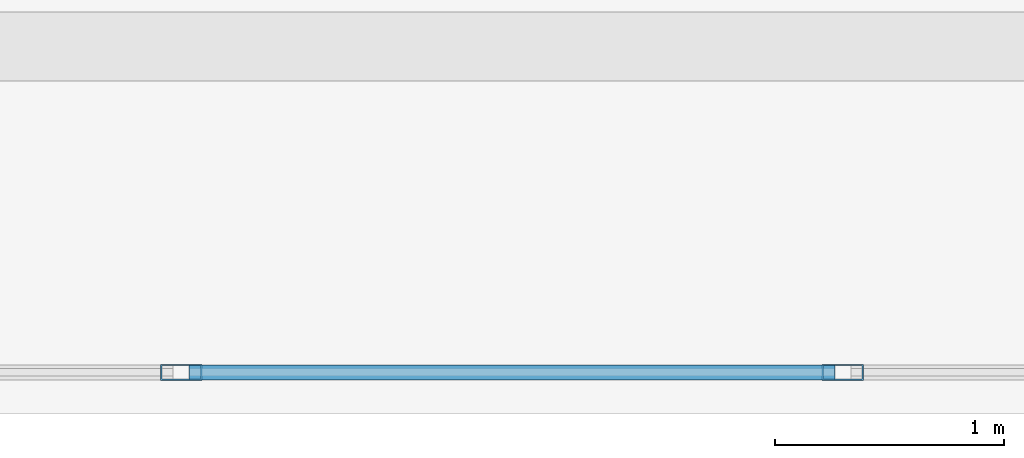
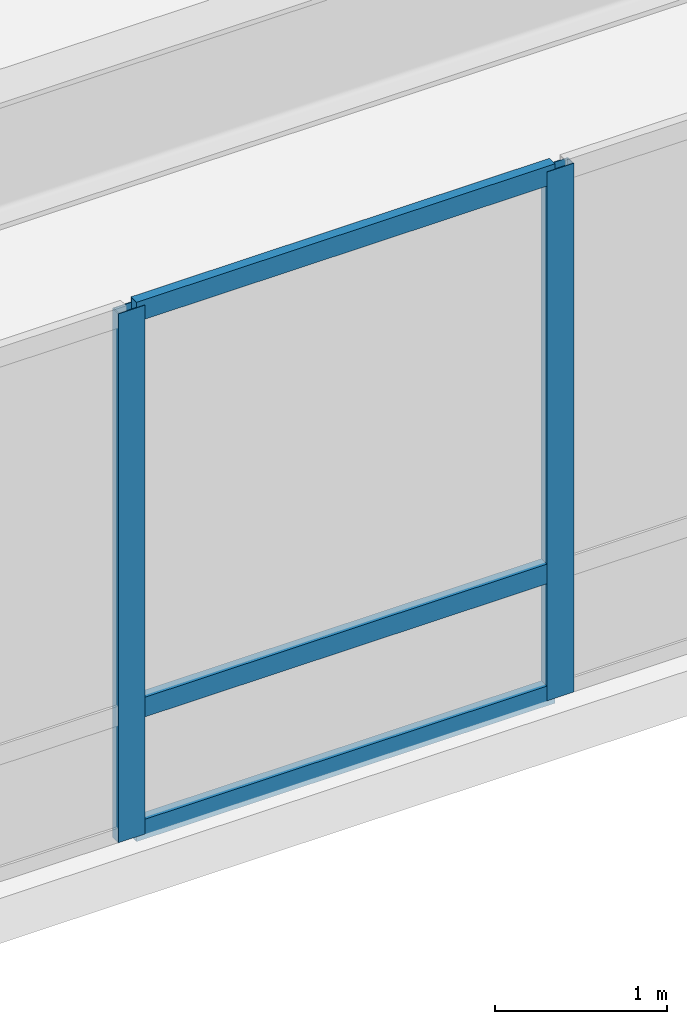
# One storey, part 6 of 17: 5 members, 1 element without a shape of its own.
"""IFC4 building model written with IfcOpenShell, lengths in metres."""

from ifc_helpers import new_model, si_unit, direction, frame, origin, origin_2d, place, context, subcontext, project, spatial, hollow_rectangle, extrude, material, layer, layer_set, material_profile, profile_set, type_object, element, aggregate, save


model = new_model("IFC4")

# Units and contexts
model_context = context("Model", 3, precision=1e-05, world=origin(), true_north=direction((0.0, 1.0)))
body_context = subcontext(model_context, "Body", "Model", "MODEL_VIEW")
ifc_project = project(units=[si_unit("LENGTHUNIT", "METRE"), si_unit("AREAUNIT", "SQUARE_METRE"), si_unit("VOLUMEUNIT", "CUBIC_METRE"), si_unit("PLANEANGLEUNIT", "RADIAN"), si_unit("MASSUNIT", "GRAM", prefix="KILO"), si_unit("THERMODYNAMICTEMPERATUREUNIT", "KELVIN"), si_unit("POWERUNIT", "WATT")], contexts=[model_context])

# Site, building, storey
site_placement = place(None, origin())
site = spatial("IfcSite", under=ifc_project, at=site_placement, CompositionType="ELEMENT")
building_placement = place(site_placement, origin())
building = spatial("IfcBuilding", under=site, at=building_placement, Name="Ocrelia Relay Tower", CompositionType="ELEMENT")
storey_placement = place(building_placement, frame((0.0, 0.0, 20.39990234375)))
storey = spatial("IfcBuildingStorey", under=building, at=storey_placement, Name="L04", CompositionType="ELEMENT", Elevation=20.39990234375)

# Curtain wall, members
ifc_material_1 = material(Name="Aluminium and solar-control low-E glass", Category="aluminium")
ifc_layer = layer(ifc_material_1, 0.179931640625, Name="Aluminium and solar-control low-E glass")
ifc_layer_set = layer_set([ifc_layer], Name="Aluminium and solar-control low-E glass")
curtain_wall_type = type_object("IfcCurtainWallType", Name="CW-SYS-POD-GALL", PredefinedType="NOTDEFINED", material=ifc_layer_set)
curtain_wall_placement = place(storey_placement, origin())
curtain_wall = element("IfcCurtainWall", 1, at=curtain_wall_placement, inside=storey, type_object=curtain_wall_type, Name="L04 South Over-Arch Curtain Wall East", PredefinedType="NOTDEFINED")
ifc_material_2 = material(Name="Anodised bronze aluminium", Category="aluminium")
ifc_material_profile_1 = material_profile(ifc_material_2, hollow_rectangle(XDim=0.070068359375, YDim=0.179931640625, WallThickness=0.006103515625, at=origin_2d()), Name="CW-MUL-180x70")
ifc_profile_set_1 = profile_set([ifc_material_profile_1], Name="Anodised bronze aluminium")
member_type_1 = type_object("IfcMemberType", Name="CW-SYS-POD-GALL-MUL", PredefinedType="MULLION", material=ifc_profile_set_1)
member_1_placement = place(storey_placement, frame((36.88330078125, 0.179931640625, 0.0), z_axis=(0.0, 0.0, 1.0), x_axis=(0.0, 1.0, 0.0)))
member_1 = element("IfcMember", 2, at=member_1_placement, type_object=member_type_1, Name="CW-PG mullion 2", PredefinedType="MULLION", context=body_context, shape_type="SweptSolid", body=[
    extrude(hollow_rectangle(XDim=0.070068359375, YDim=0.179931640625, WallThickness=0.006103515625, at=origin_2d()), origin(), (0.0, 0.0, 1.0), 3.760009765625),
])
member_2_placement = place(storey_placement, frame((39.7666015625, 0.179931640625, 0.0), z_axis=(0.0, 0.0, 1.0), x_axis=(0.0, 1.0, 0.0)))
member_2 = element("IfcMember", 3, at=member_2_placement, type_object=member_type_1, Name="CW-PG mullion 3", PredefinedType="MULLION", context=body_context, shape_type="SweptSolid", body=[
    extrude(hollow_rectangle(XDim=0.070068359375, YDim=0.179931640625, WallThickness=0.006103515625, at=origin_2d()), origin(), (0.0, 0.0, 1.0), 3.760009765625),
])
ifc_material_profile_2 = material_profile(ifc_material_2, hollow_rectangle(XDim=0.06494140625, YDim=0.139892578125, WallThickness=0.0048828125, at=origin_2d()), Name="CW-TRN-140x65")
ifc_profile_set_2 = profile_set([ifc_material_profile_2], Name="Anodised bronze aluminium")
member_type_2 = type_object("IfcMemberType", Name="CW-SYS-POD-GALL-TRN", PredefinedType="USERDEFINED", material=ifc_profile_set_2)
member_3_placement = place(storey_placement, frame((36.918212890625, 0.179931640625, 0.03271484375), z_axis=(1.0, 0.0, 0.0), x_axis=(0.0, 1.0, 0.0)))
member_3 = element("IfcMember", 4, at=member_3_placement, type_object=member_type_2, Name="CW-PG transom 2.1", ObjectType="TRANSOM", PredefinedType="USERDEFINED", context=body_context, shape_type="SweptSolid", body=[
    extrude(hollow_rectangle(XDim=0.06494140625, YDim=0.139892578125, WallThickness=0.0048828125, at=origin_2d()), origin(), (0.0, 0.0, 1.0), 2.8134765625),
])
member_4_placement = place(storey_placement, frame((36.918212890625, 0.179931640625, 0.900146484375), z_axis=(1.0, 0.0, 0.0), x_axis=(0.0, 1.0, 0.0)))
member_4 = element("IfcMember", 5, at=member_4_placement, type_object=member_type_2, Name="CW-PG transom 2.2", ObjectType="TRANSOM", PredefinedType="USERDEFINED", context=body_context, shape_type="SweptSolid", body=[
    extrude(hollow_rectangle(XDim=0.06494140625, YDim=0.139892578125, WallThickness=0.0048828125, at=origin_2d()), origin(), (0.0, 0.0, 1.0), 2.8134765625),
])
member_5_placement = place(storey_placement, frame((36.918212890625, 0.179931640625, 3.7275390625), z_axis=(1.0, 0.0, 0.0), x_axis=(0.0, 1.0, 0.0)))
member_5 = element("IfcMember", 6, at=member_5_placement, type_object=member_type_2, Name="CW-PG transom 2.3", ObjectType="TRANSOM", PredefinedType="USERDEFINED", context=body_context, shape_type="SweptSolid", body=[
    extrude(hollow_rectangle(XDim=0.06494140625, YDim=0.139892578125, WallThickness=0.0048828125, at=origin_2d()), origin(), (0.0, 0.0, 1.0), 2.8134765625),
])
aggregate(curtain_wall, [member_1, member_2, member_3, member_4, member_5])

save(model, "model.ifc")
